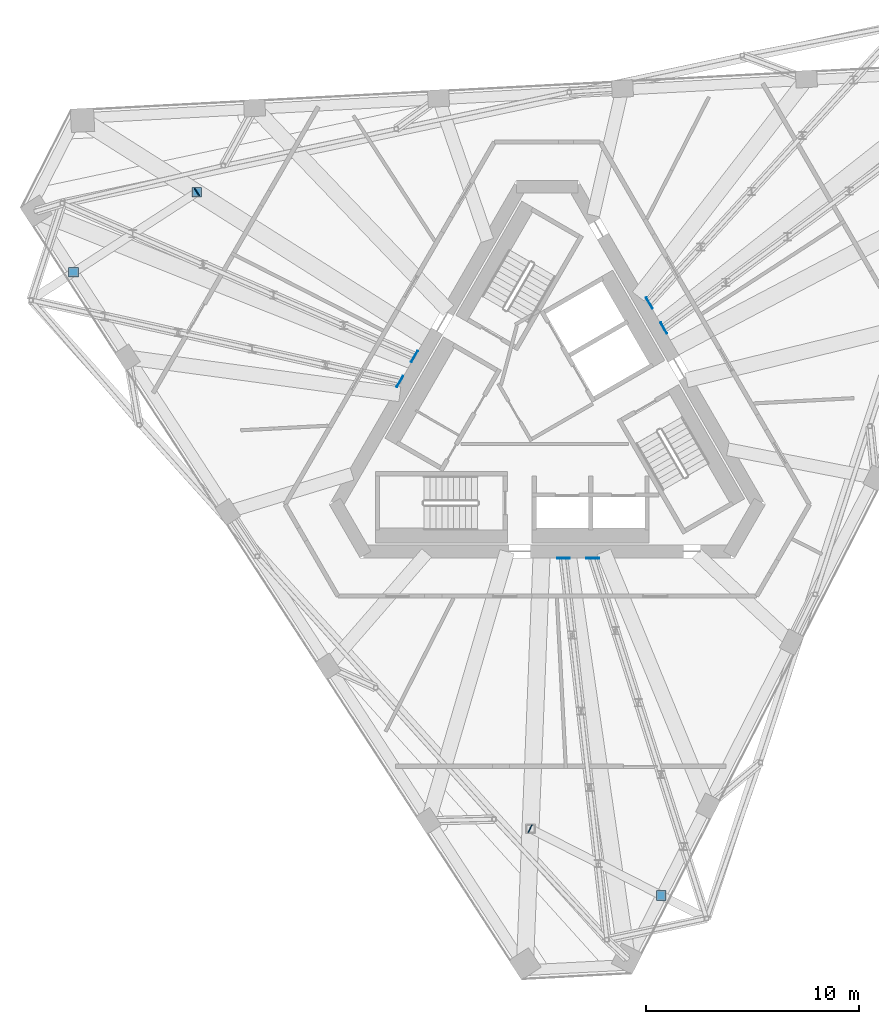
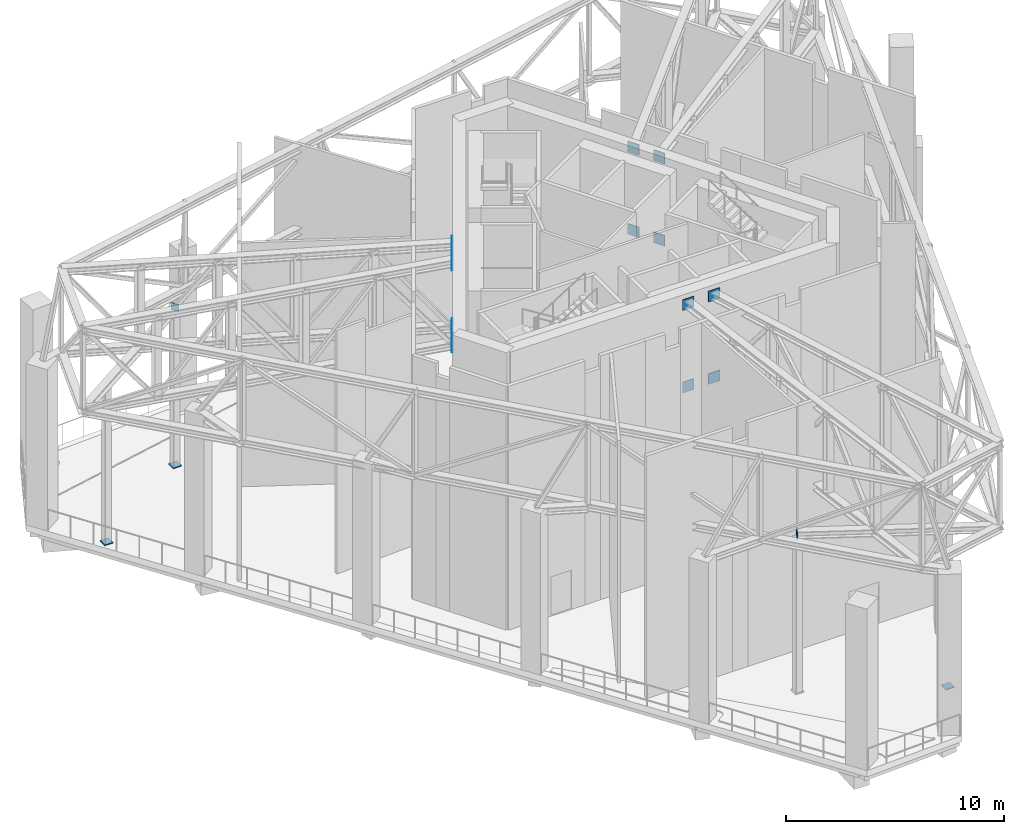
# One storey, part 18 of 23: 17 discrete accessories.
"""IFC4 building model written with IfcOpenShell, lengths in metres."""

from ifc_helpers import new_model, si_unit, direction, frame, origin, origin_2d, place, context, subcontext, project, spatial, rectangle, extrude, material, layer, layer_set, type_object, element, save


model = new_model("IFC4")

# Units and contexts
model_context = context("Model", 3, precision=1e-05, world=origin(), true_north=direction((0.0, 1.0)))
body_context = subcontext(model_context, "Body", "Model", "MODEL_VIEW")
ifc_project = project(units=[si_unit("LENGTHUNIT", "METRE"), si_unit("AREAUNIT", "SQUARE_METRE"), si_unit("VOLUMEUNIT", "CUBIC_METRE"), si_unit("PLANEANGLEUNIT", "RADIAN"), si_unit("MASSUNIT", "GRAM", prefix="KILO")], contexts=[model_context])

# Site, building, storey
site_placement = place(None, origin())
site = spatial("IfcSite", under=ifc_project, at=site_placement, CompositionType="ELEMENT")
building_placement = place(site_placement, origin())
building = spatial("IfcBuilding", under=site, at=building_placement, Name="Tramontana Tower", CompositionType="ELEMENT")
storey_placement = place(building_placement, frame((0.0, 0.0, 306.39990234375)))
storey = spatial("IfcBuildingStorey", under=building, at=storey_placement, Name="L72", CompositionType="ELEMENT", Elevation=306.39990234375)

# Discrete accessories
ifc_material_1 = material(Name="Steel ASTM A572 Grade 50", Category="steel")
ifc_layer_1 = layer(ifc_material_1, 0.0400390625)
ifc_layer_set_1 = layer_set([ifc_layer_1], Name="Base plate 450X450X40")
discrete_accessory_type_1 = type_object("IfcDiscreteAccessoryType", Name="Base plate 450X450X40", PredefinedType="ANCHORPLATE", material=ifc_layer_set_1)
for number, where, z_axis, x_axis, name in (
    (1, (-22.275634765625, 6.668701171875, 0.0), (0.0, 0.0, 1.0), (1.0, 0.0, 0.0), "Transfer truss post base plate C8K1.1"),
    (2, (-16.4853515625, 10.428955078125, 0.0), (0.0, 0.0, 1.0), (1.0, 0.0, 0.0), "Transfer truss post base plate C8K1.2"),
    (3, (5.36279296875, -22.625732421875, 0.0), (0.0, 0.0, 1.0), (1.0, 0.0, 0.0), "Transfer truss post base plate C8K3.1"),
):
    element("IfcDiscreteAccessory", number, at=place(storey_placement, frame(where, z_axis=z_axis, x_axis=x_axis)), inside=storey, type_object=discrete_accessory_type_1, Name=name, PredefinedType="ANCHORPLATE", context=body_context, shape_type="SweptSolid", body=[
        extrude(rectangle(XDim=0.449951171875, YDim=0.449951171875, at=origin_2d()), origin(), (0.0, 0.0, 1.0), 0.0400390625),
    ])
ifc_material_2 = material(Name="Steel ASTM A572 Grade 50", Category="steel")
ifc_layer_2 = layer(ifc_material_2, 0.0400390625)
ifc_layer_set_2 = layer_set([ifc_layer_2], Name="Cast-in plate 600X600X40")
discrete_accessory_type_2 = type_object("IfcDiscreteAccessoryType", Name="Cast-in plate 600X600X40", PredefinedType="ANCHORPLATE", material=ifc_layer_set_2)
for number, where, z_axis, x_axis, name in (
    (4, (0.765380859375, -6.77001953125, 8.543701171875), (0.0, 0.0, 1.0), (1.0, 0.0, 0.0), "Cast-in plate Outrigger truss 1 bottom chord"),
    (5, (0.765380859375, -6.77001953125, 13.15625), (0.0, 0.0, 1.0), (1.0, 0.0, 0.0), "Cast-in plate Outrigger truss 1 top chord"),
    (6, (2.13232421875, -6.77001953125, 8.543701171875), (0.0, 0.0, 1.0), (1.0, 0.0, 0.0), "Cast-in plate Outrigger truss 2 bottom chord"),
    (7, (2.13232421875, -6.77001953125, 13.15625), (0.0, 0.0, 1.0), (1.0, 0.0, 0.0), "Cast-in plate Outrigger truss 2 top chord"),
    (8, (5.480224609375, 4.0478515625, 8.543701171875), (0.0, 0.0, 1.0), (-0.5, 0.866025403784, 0.0), "Cast-in plate Outrigger truss 3 bottom chord"),
    (9, (5.480224609375, 4.0478515625, 13.15625), (0.0, 0.0, 1.0), (-0.5, 0.866025403784, 0.0), "Cast-in plate Outrigger truss 3 top chord"),
    (10, (4.796875, 5.231689453125, 8.543701171875), (0.0, 0.0, 1.0), (-0.5, 0.866025403784, 0.0), "Cast-in plate Outrigger truss 4 bottom chord"),
    (11, (4.796875, 5.231689453125, 13.15625), (0.0, 0.0, 1.0), (-0.5, 0.866025403784, 0.0), "Cast-in plate Outrigger truss 4 top chord"),
    (12, (-6.24560546875, 2.72216796875, 8.543701171875), (0.0, 0.0, 1.0), (-0.5, -0.866025403784, 0.0), "Cast-in plate Outrigger truss 5 bottom chord"),
    (13, (-6.24560546875, 2.72216796875, 13.15625), (0.0, 0.0, 1.0), (-0.5, -0.866025403784, 0.0), "Cast-in plate Outrigger truss 5 top chord"),
    (14, (-6.92919921875, 1.538330078125, 8.543701171875), (0.0, 0.0, 1.0), (-0.5, -0.866025403784, 0.0), "Cast-in plate Outrigger truss 6 bottom chord"),
    (15, (-6.92919921875, 1.538330078125, 13.15625), (0.0, 0.0, 1.0), (-0.5, -0.866025403784, 0.0), "Cast-in plate Outrigger truss 6 top chord"),
):
    element("IfcDiscreteAccessory", number, at=place(storey_placement, frame(where, z_axis=z_axis, x_axis=x_axis)), inside=storey, type_object=discrete_accessory_type_2, Name=name, PredefinedType="ANCHORPLATE", context=body_context, shape_type="SweptSolid", body=[
        extrude(rectangle(XDim=0.60009765625, YDim=0.0400390625, at=origin_2d()), origin(), (0.0, 0.0, 1.0), 0.60009765625),
    ])
ifc_material_3 = material(Name="Steel ASTM A572 Grade 50", Category="steel")
ifc_layer_3 = layer(ifc_material_3, 0.0400390625)
ifc_layer_set_3 = layer_set([ifc_layer_3], Name="End plate 397X387X40")
discrete_accessory_type_3 = type_object("IfcDiscreteAccessoryType", Name="End plate 397X387X40", PredefinedType="ANCHORPLATE", material=ifc_layer_set_3)
for number, where, z_axis, x_axis, name in (
    (16, (-16.46875, 10.439697265625, 8.64990234375), (0.0, 0.0, 1.0), (0.544639035015, -0.838670567945, 0.0), "Transfer truss girder end plate C8K1.2"),
    (17, (-0.806884765625, -19.482177734375, 8.64990234375), (0.0, 0.0, 1.0), (0.45399049974, 0.891006524188, 0.0), "Transfer truss girder end plate C8K3.2"),
):
    element("IfcDiscreteAccessory", number, at=place(storey_placement, frame(where, z_axis=z_axis, x_axis=x_axis)), inside=storey, type_object=discrete_accessory_type_3, Name=name, PredefinedType="ANCHORPLATE", context=body_context, shape_type="SweptSolid", body=[
        extrude(rectangle(XDim=0.39697265625, YDim=0.0400390625, at=origin_2d()), origin(), (0.0, 0.0, 1.0), 0.387451171875),
    ])

save(model, "model.ifc")
